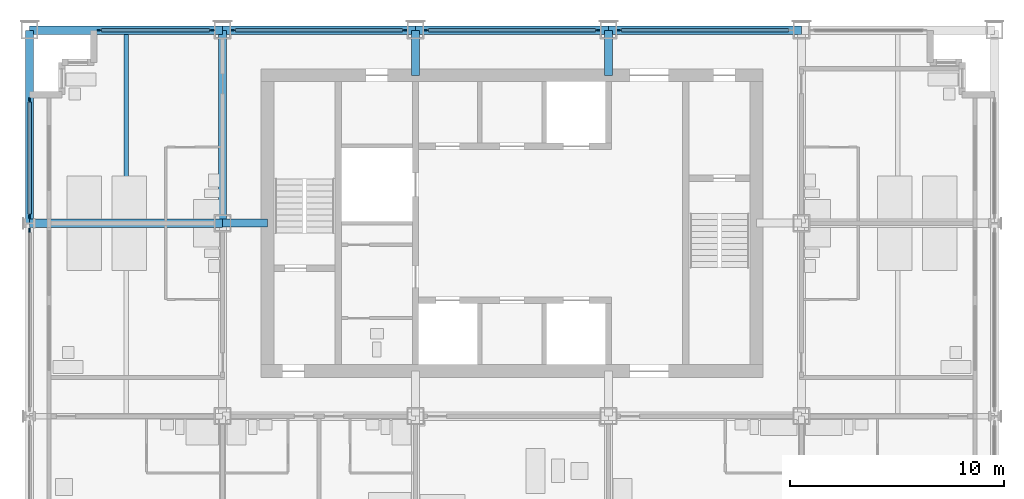
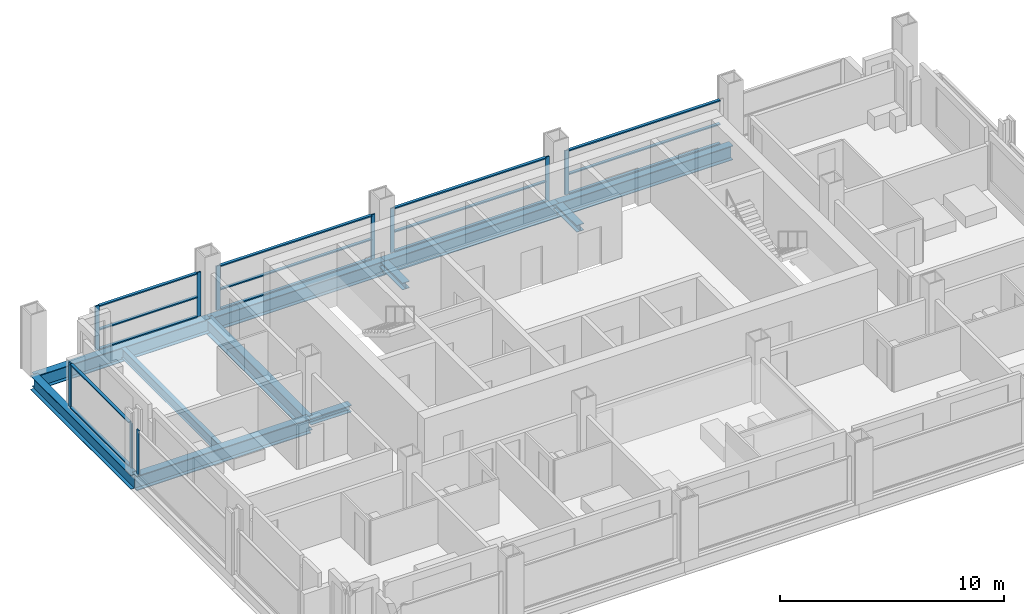
# One storey, part 4 of 13: 27 members, 8 beams, 6 elements without a shape of their own.
"""IFC4 building model written with IfcOpenShell, lengths in metres."""

import ifcopenshell
import ifcopenshell.guid

model = None  # the IFC model being written
_history = None  # IfcOwnerHistory: only IFC2X3 demands one
_inside = {}  # id of a spatial element -> (the spatial element, [elements in it])
_under = {}  # id of a project, library or spatial element -> (it, [spatial elements below it])
_declared = {}  # id of a project -> (the project, [libraries it declares])
_typed = {}  # id of a type object -> (the type object, [elements of that type])
_made_of = {}  # id of a material, layer set ... -> (it, [elements and type objects made of it])


def new_model(schema):
    """Start an empty IFC model of exactly this schema.

    Asked for "IFC4X3", IfcOpenShell would pick the latest addendum, in which some entities
    have other attributes; the version numbers below select the first issue.
    IFC2X3 requires an IfcOwnerHistory on every rooted entity: one is made here for all.
    """
    global model, _history
    if schema == "IFC4X3":
        model = ifcopenshell.file(schema_version=(4, 3, 0, 0))
    else:
        model = ifcopenshell.file(schema=schema)
    _inside.clear()
    _under.clear()
    _declared.clear()
    _typed.clear()
    _made_of.clear()
    _history = None
    if model.schema == "IFC2X3":
        org = make("IfcOrganization", Name="unknown")
        user = make(
            "IfcPersonAndOrganization",
            ThePerson=make("IfcPerson", FamilyName="unknown"),
            TheOrganization=org,
        )
        app = make(
            "IfcApplication",
            ApplicationDeveloper=org,
            Version="unknown",
            ApplicationFullName="unknown",
            ApplicationIdentifier="unknown",
        )
        _history = make(
            "IfcOwnerHistory",
            OwningUser=user,
            OwningApplication=app,
            ChangeAction="ADDED",
            CreationDate=0,
        )
    return model


def make(cls, **values):
    """One entity of the class cls with the attributes given. An attribute that is None is left unset."""
    return model.create_entity(
        cls, **{name: value for name, value in values.items() if value is not None}
    )


def rooted(cls, **values):
    """An entity with a GlobalId (a new one), such as an element, a storey or a relation."""
    return make(cls, GlobalId=ifcopenshell.guid.new(), OwnerHistory=_history, **values)


def si_unit(unit_type, name, prefix=None):
    """IfcSIUnit, for example si_unit("LENGTHUNIT", "METRE", prefix="MILLI")."""
    return make("IfcSIUnit", UnitType=unit_type, Prefix=prefix, Name=name)


def assignment(units):
    """IfcUnitAssignment: the units of a project."""
    return None if units is None else make("IfcUnitAssignment", Units=units)


def point(xyz):
    """IfcCartesianPoint."""
    return None if xyz is None else make("IfcCartesianPoint", Coordinates=xyz)


def direction(xyz):
    """IfcDirection."""
    return None if xyz is None else make("IfcDirection", DirectionRatios=xyz)


def frame(location, z_axis=None, x_axis=None):
    """IfcAxis2Placement3D, a coordinate frame: its origin and axes. An axis left out is left unset."""
    return make(
        "IfcAxis2Placement3D",
        Location=point(location),
        Axis=direction(z_axis),
        RefDirection=direction(x_axis),
    )


def frame_2d(location, x_axis=None):
    """IfcAxis2Placement2D, a coordinate frame in the plane: its origin and x axis."""
    return make(
        "IfcAxis2Placement2D", Location=point(location), RefDirection=direction(x_axis)
    )


def origin():
    """The frame at (0, 0, 0) with its axes left unset."""
    return frame((0.0, 0.0, 0.0))


def origin_2d():
    """The frame at (0, 0) in the plane with its x axis left unset."""
    return frame_2d((0.0, 0.0))


def place(relative_to, where):
    """IfcLocalPlacement: puts the frame where relative to a parent placement (None: the world)."""
    return make(
        "IfcLocalPlacement", PlacementRelTo=relative_to, RelativePlacement=where
    )


def context(
    kind, dimensions, precision=None, world=None, true_north=None, identifier=None
):
    """IfcGeometricRepresentationContext, for example the 3D "Model" context."""
    return make(
        "IfcGeometricRepresentationContext",
        ContextIdentifier=identifier,
        ContextType=kind,
        CoordinateSpaceDimension=dimensions,
        Precision=precision,
        WorldCoordinateSystem=world,
        TrueNorth=true_north,
    )


def subcontext(parent, identifier, kind, view, scale=None):
    """IfcGeometricRepresentationSubContext, for example "Body" below "Model"."""
    return make(
        "IfcGeometricRepresentationSubContext",
        ContextIdentifier=identifier,
        ContextType=kind,
        ParentContext=parent,
        TargetScale=scale,
        TargetView=view,
    )


def project(units=None, contexts=None):
    """IfcProject with its units and contexts."""
    return rooted(
        "IfcProject",
        Name="project",
        RepresentationContexts=contexts,
        UnitsInContext=assignment(units),
    )


def spatial(cls, under=None, at=None, **own):
    """A site, building, storey or space (cls), placed at a placement, below another one or the project."""
    s = rooted(cls, ObjectPlacement=at, **own)
    if under is not None:
        _under.setdefault(under.id(), (under, []))[1].append(s)
    return s


def profile(cls, at=None, kind="AREA", **sizes):
    """A parametric profile (cls). Its sizes go by their IFC names, for example OverallWidth=200.0."""
    return make(cls, ProfileType=kind, Position=at, **sizes)


def rectangle(**sizes):
    """IfcRectangleProfileDef."""
    return profile("IfcRectangleProfileDef", **sizes)


def i_section(**sizes):
    """IfcIShapeProfileDef."""
    return profile("IfcIShapeProfileDef", **sizes)


def extrude(swept, where, along, depth):
    """IfcExtrudedAreaSolid: the profile swept, set in the frame where, extruded along a direction by depth."""
    return make(
        "IfcExtrudedAreaSolid",
        SweptArea=swept,
        Position=where,
        ExtrudedDirection=direction(along),
        Depth=depth,
    )


def shape(context_of_items, identifier, shape_type, items):
    """IfcShapeRepresentation: the items that make up one representation, for example the "Body"."""
    return make(
        "IfcShapeRepresentation",
        ContextOfItems=context_of_items,
        RepresentationIdentifier=identifier,
        RepresentationType=shape_type,
        Items=items,
    )


def material(Name=None, Category=None):
    """IfcMaterial."""
    return make("IfcMaterial", Name=Name, Category=Category)


def material_profile(
    of_material, cross_section, Name=None, Category=None, Priority=None
):
    """IfcMaterialProfile: a cross section and its material."""
    return make(
        "IfcMaterialProfile",
        Name=Name,
        Material=of_material,
        Profile=cross_section,
        Priority=Priority,
        Category=Category,
    )


def profile_set(profiles, Name=None, composite=None):
    """IfcMaterialProfileSet."""
    return make(
        "IfcMaterialProfileSet",
        Name=Name,
        MaterialProfiles=profiles,
        CompositeProfile=composite,
    )


def made_of(thing, what):
    """Note that an element or type object is made of a material, layer set ...; save() writes the relation."""
    if what is not None:
        _made_of.setdefault(what.id(), (what, []))[1].append(thing)
    return thing


def type_object(cls, material=None, **own):
    """A type object (cls), such as IfcWallType, which elements share."""
    return made_of(rooted(cls, **own), material)


def element(
    cls,
    number,
    at=None,
    inside=None,
    cuts=None,
    type_object=None,
    material=None,
    context=None,
    identifier="Body",
    shape_type=None,
    held_by="IfcProductDefinitionShape",
    body=None,
    shapes=None,
    **own,
):
    """One element of the class cls, such as IfcWall. Its Tag is "e" and its number.

    at: its placement. inside: the storey or other place that contains it. cuts: it is an
    opening in that element (IfcRelVoidsElement). A single representation is given by context,
    identifier, shape_type and body (its items); several are given by shapes. held_by: the class
    of the entity that holds the representations. save() writes the other relations.
    """
    e = rooted(cls, Tag="e%d" % number, ObjectPlacement=at, **own)
    if body is not None:
        shapes = [shape(context, identifier, shape_type, body)]
    if shapes is not None:
        e.Representation = make(held_by, Representations=shapes)
    if inside is not None:
        _inside.setdefault(inside.id(), (inside, []))[1].append(e)
    if cuts is not None:
        rooted(
            "IfcRelVoidsElement", RelatingBuildingElement=cuts, RelatedOpeningElement=e
        )
    if type_object is not None:
        _typed.setdefault(type_object.id(), (type_object, []))[1].append(e)
    return made_of(e, material)


def aggregate(whole, parts):
    """IfcRelAggregates: a whole, such as a stair, and the parts it consists of."""
    return rooted("IfcRelAggregates", RelatingObject=whole, RelatedObjects=parts)


def save(model, path):
    """Write the relations noted so far, then the file.

    IfcRelAggregates (storeys below a building ...), IfcRelContainedInSpatialStructure (elements
    in a storey), IfcRelDefinesByType, IfcRelAssociatesMaterial and IfcRelDeclares: one each for
    every whole, place, type object, material and project.
    """
    for whole, parts in _under.values():
        aggregate(whole, parts)
    for where, things in _inside.values():
        rooted(
            "IfcRelContainedInSpatialStructure",
            RelatedElements=things,
            RelatingStructure=where,
        )
    for kind, things in _typed.values():
        rooted("IfcRelDefinesByType", RelatedObjects=things, RelatingType=kind)
    for what, things in _made_of.values():
        rooted("IfcRelAssociatesMaterial", RelatedObjects=things, RelatingMaterial=what)
    for by, libraries in _declared.values():
        rooted("IfcRelDeclares", RelatingContext=by, RelatedDefinitions=libraries)
    model.write(path)


model = new_model("IFC4")

# Units and contexts
model_context = context("Model", 3, precision=1e-05, world=origin(), true_north=direction((0.0, 1.0)))
body_context = subcontext(model_context, "Body", "Model", "MODEL_VIEW")
ifc_project = project(units=[si_unit("LENGTHUNIT", "METRE"), si_unit("AREAUNIT", "SQUARE_METRE"), si_unit("VOLUMEUNIT", "CUBIC_METRE"), si_unit("PLANEANGLEUNIT", "RADIAN"), si_unit("MASSUNIT", "GRAM", prefix="KILO")], contexts=[model_context])

# Site, building, storey
site_placement = place(None, origin())
site = spatial("IfcSite", under=ifc_project, at=site_placement, CompositionType="ELEMENT")
building_placement = place(site_placement, origin())
building = spatial("IfcBuilding", under=site, at=building_placement, Name="Loomwork Tower", CompositionType="ELEMENT")
storey_placement = place(building_placement, frame((0.0, 0.0, 184.199951171875)))
storey = spatial("IfcBuildingStorey", under=building, at=storey_placement, Name="L50", CompositionType="ELEMENT", Elevation=184.199951171875)

# Beams
ifc_material_1 = material(Name="Steel ASTM A992", Category="steel")
ifc_material_profile_1 = material_profile(ifc_material_1, i_section(OverallWidth=0.383544921875, OverallDepth=0.794921875, WebThickness=0.02099609375, FlangeThickness=0.0380859375, at=origin_2d()), Name="W30x235")
ifc_profile_set_1 = profile_set([ifc_material_profile_1], Name="Steel ASTM A992")
beam_type_1 = type_object("IfcBeamType", Name="CORE FLANK GIRDER W30x235", PredefinedType="BEAM", material=ifc_profile_set_1)
for number, where, z_axis, x_axis, name in (
    (1, (0.0, 18.0, -0.597412109375), (1.0, 0.0, 0.0), (0.0, 1.0, 0.0), "Core Flank Girder F/2-F/3 L50"),
    (2, (9.0, 18.0, -0.597412109375), (0.0, 1.0, 0.0), (-1.0, 0.0, 0.0), "Core Flank Girder F/3-G/3 L50"),
):
    element("IfcBeam", number, at=place(storey_placement, frame(where, z_axis=z_axis, x_axis=x_axis)), inside=storey, type_object=beam_type_1, Name=name, PredefinedType="BEAM", context=body_context, shape_type="SweptSolid", body=[
        extrude(i_section(OverallWidth=0.383544921875, OverallDepth=0.794921875, WebThickness=0.02099609375, FlangeThickness=0.0380859375, at=origin_2d()), origin(), (0.0, 0.0, 1.0), 9.0),
    ])

# Members
ifc_material_2 = material(Name="Steel ASTM A992", Category="steel")
ifc_material_profile_2 = material_profile(ifc_material_2, i_section(OverallWidth=0.373291015625, OverallDepth=0.373291015625, WebThickness=0.016357421875, FlangeThickness=0.026123046875, at=origin_2d()), Name="W14x132")
ifc_profile_set_2 = profile_set([ifc_material_profile_2], Name="Steel ASTM A992")
member_type_1 = type_object("IfcMemberType", Name="CORE LINK STRUT W14x132", PredefinedType="STRUT", material=ifc_profile_set_2)
for number, where, z_axis, x_axis, name in (
    (3, (27.0, 27.0, -0.38671875), (0.0, -1.0, 0.0), (1.0, 0.0, 0.0), "Core link strut G/5-27.000,24.900 L50"),
    (4, (18.0, 27.0, -0.38671875), (0.0, -1.0, 0.0), (1.0, 0.0, 0.0), "Core link strut G/4-18.000,24.900 L50"),
    (5, (9.0, 18.0, -0.38671875), (1.0, 0.0, 0.0), (0.0, 1.0, 0.0), "Core link strut F/3-11.100,18.000 L50"),
):
    element("IfcMember", number, at=place(storey_placement, frame(where, z_axis=z_axis, x_axis=x_axis)), inside=storey, type_object=member_type_1, Name=name, PredefinedType="STRUT", context=body_context, shape_type="SweptSolid", body=[
        extrude(i_section(OverallWidth=0.373291015625, OverallDepth=0.373291015625, WebThickness=0.016357421875, FlangeThickness=0.026123046875, at=origin_2d()), origin(), (0.0, 0.0, 1.0), 2.10009765625),
    ])

# Beam
ifc_material_3 = material(Name="Steel ASTM A992", Category="steel")
ifc_material_profile_3 = material_profile(ifc_material_3, i_section(OverallWidth=0.2109375, OverallDepth=0.53857421875, WebThickness=0.011474609375, FlangeThickness=0.018798828125, at=origin_2d()), Name="W21x73")
ifc_profile_set_3 = profile_set([ifc_material_profile_3], Name="Steel ASTM A992")
beam_type_2 = type_object("IfcBeamType", Name="FLOOR JOIST W21x73", PredefinedType="JOIST", material=ifc_profile_set_3)
beam_placement = place(storey_placement, frame((4.5, 18.19091796875, -0.46923828125), z_axis=(0.0, 1.0, 0.0), x_axis=(-1.0, 0.0, 0.0)))
element("IfcBeam", 6, at=beam_placement, inside=storey, type_object=beam_type_2, Name="Floor Joist 4.500,18.000-4.500,27.000 L50", PredefinedType="JOIST", context=body_context, shape_type="SweptSolid", body=[
    extrude(i_section(OverallWidth=0.2109375, OverallDepth=0.53857421875, WebThickness=0.011474609375, FlangeThickness=0.018798828125, at=origin_2d()), origin(), (0.0, 0.0, 1.0), 8.619140625),
])

# Curtain wall, member
ifc_material_4 = material(Name="Aluminium curtain wall frame", Category="aluminium")
curtain_wall_type_1 = type_object("IfcCurtainWallType", Name="Outer skin glazing hotel", PredefinedType="NOTDEFINED", material=ifc_material_4)
curtain_wall_1_placement = place(storey_placement, origin())
curtain_wall_1 = element("IfcCurtainWall", 7, at=curtain_wall_1_placement, inside=storey, type_object=curtain_wall_type_1, Name="Outer skin glazing hotel cw/W-9", PredefinedType="NOTDEFINED")
ifc_material_5 = material(Name="Aluminium curtain wall frame", Category="aluminium")
ifc_material_profile_4 = material_profile(ifc_material_5, rectangle(XDim=0.06494140625, YDim=0.199951171875, at=origin_2d()), Name="AL 65x200")
ifc_profile_set_4 = profile_set([ifc_material_profile_4], Name="Aluminium curtain wall frame")
member_type_2 = type_object("IfcMemberType", Name="Outer skin glazing hotel mullion", PredefinedType="MULLION", material=ifc_profile_set_4)
member_1_placement = place(storey_placement, frame((0.0, 17.67529296875, 0.0), z_axis=(0.0, 0.0, 1.0), x_axis=(1.0, 0.0, 0.0)))
member_1 = element("IfcMember", 8, at=member_1_placement, type_object=member_type_2, Name="CW1 mullion 1", PredefinedType="MULLION", context=body_context, shape_type="SweptSolid", body=[
    extrude(rectangle(XDim=0.06494140625, YDim=0.199951171875, at=origin_2d()), origin(), (0.0, 0.0, 1.0), 2.420166015625),
])
aggregate(curtain_wall_1, [member_1])

# Curtain wall, members
curtain_wall_2_placement = place(storey_placement, origin())
curtain_wall_2 = element("IfcCurtainWall", 9, at=curtain_wall_2_placement, inside=storey, type_object=curtain_wall_type_1, Name="Outer skin glazing hotel cw/W-18", PredefinedType="NOTDEFINED")
member_2_placement = place(storey_placement, frame((0.0, 23.75, 0.0), z_axis=(0.0, 0.0, 1.0), x_axis=(1.0, 0.0, 0.0)))
member_2 = element("IfcMember", 10, at=member_2_placement, type_object=member_type_2, Name="CW1 mullion 1", PredefinedType="MULLION", context=body_context, shape_type="SweptSolid", body=[
    extrude(rectangle(XDim=0.06494140625, YDim=0.199951171875, at=origin_2d()), origin(), (0.0, 0.0, 1.0), 2.420166015625),
])
member_3_placement = place(storey_placement, frame((0.0, 18.32470703125, 0.0), z_axis=(0.0, 0.0, 1.0), x_axis=(1.0, 0.0, 0.0)))
member_3 = element("IfcMember", 11, at=member_3_placement, type_object=member_type_2, Name="CW1 mullion 2", PredefinedType="MULLION", context=body_context, shape_type="SweptSolid", body=[
    extrude(rectangle(XDim=0.06494140625, YDim=0.199951171875, at=origin_2d()), origin(), (0.0, 0.0, 1.0), 2.420166015625),
])
ifc_material_6 = material(Name="Aluminium curtain wall frame", Category="aluminium")
ifc_material_profile_5 = material_profile(ifc_material_6, rectangle(XDim=0.14990234375, YDim=0.06494140625, at=origin_2d()), Name="AL 65x150")
ifc_profile_set_5 = profile_set([ifc_material_profile_5], Name="Aluminium curtain wall frame")
member_type_3 = type_object("IfcMemberType", Name="Outer skin glazing hotel transom", PredefinedType="USERDEFINED", material=ifc_profile_set_5)
member_4_placement = place(storey_placement, frame((0.0, 23.64990234375, 0.032470703125), z_axis=(0.0, -1.0, 0.0), x_axis=(1.0, 0.0, 0.0)))
member_4 = element("IfcMember", 12, at=member_4_placement, type_object=member_type_3, Name="CW1 transom 1.1", ObjectType="TRANSOM", PredefinedType="USERDEFINED", context=body_context, shape_type="SweptSolid", body=[
    extrude(rectangle(XDim=0.14990234375, YDim=0.06494140625, at=origin_2d()), origin(), (0.0, 0.0, 1.0), 5.22509765625),
])
member_5_placement = place(storey_placement, frame((0.0, 23.64990234375, 2.3876953125), z_axis=(0.0, -1.0, 0.0), x_axis=(1.0, 0.0, 0.0)))
member_5 = element("IfcMember", 13, at=member_5_placement, type_object=member_type_3, Name="CW1 transom 1.2", ObjectType="TRANSOM", PredefinedType="USERDEFINED", context=body_context, shape_type="SweptSolid", body=[
    extrude(rectangle(XDim=0.14990234375, YDim=0.06494140625, at=origin_2d()), origin(), (0.0, 0.0, 1.0), 5.22509765625),
])
aggregate(curtain_wall_2, [member_2, member_3, member_4, member_5])

# Beams
ifc_material_7 = material(Name="Steel ASTM A992", Category="steel")
ifc_material_profile_6 = material_profile(ifc_material_7, i_section(OverallWidth=0.381103515625, OverallDepth=0.77978515625, WebThickness=0.01806640625, FlangeThickness=0.0302734375, at=origin_2d()), Name="W30x191")
ifc_profile_set_6 = profile_set([ifc_material_profile_6], Name="Steel ASTM A992")
beam_type_3 = type_object("IfcBeamType", Name="SPANDREL GIRDER W30x191", PredefinedType="SPANDREL", material=ifc_profile_set_6)
for number, where, z_axis, x_axis, name in (
    (14, (0.0, 27.0, -0.58984375), (1.0, 0.0, 0.0), (0.0, 1.0, 0.0), "Spandrel Girder G/2-G/3 L50"),
    (15, (9.0, 27.0, -0.58984375), (1.0, 0.0, 0.0), (0.0, 1.0, 0.0), "Spandrel Girder G/3-G/4 L50"),
    (16, (18.0, 27.0, -0.58984375), (1.0, 0.0, 0.0), (0.0, 1.0, 0.0), "Spandrel Girder G/4-G/5 L50"),
    (17, (27.0, 27.0, -0.58984375), (1.0, 0.0, 0.0), (0.0, 1.0, 0.0), "Spandrel Girder G/5-G/6 L50"),
    (18, (0.0, 18.0, -0.58984375), (0.0, 1.0, 0.0), (-1.0, 0.0, 0.0), "Spandrel Girder F/2-G/2 L50"),
):
    element("IfcBeam", number, at=place(storey_placement, frame(where, z_axis=z_axis, x_axis=x_axis)), inside=storey, type_object=beam_type_3, Name=name, PredefinedType="SPANDREL", context=body_context, shape_type="SweptSolid", body=[
        extrude(i_section(OverallWidth=0.381103515625, OverallDepth=0.77978515625, WebThickness=0.01806640625, FlangeThickness=0.0302734375, at=origin_2d()), origin(), (0.0, 0.0, 1.0), 9.0),
    ])

# Curtain wall, members
ifc_material_8 = material(Name="Aluminium curtain wall frame", Category="aluminium")
curtain_wall_type_2 = type_object("IfcCurtainWallType", Name="Single skin glazing corridor", PredefinedType="NOTDEFINED", material=ifc_material_8)
curtain_wall_3_placement = place(storey_placement, origin())
curtain_wall_3 = element("IfcCurtainWall", 19, at=curtain_wall_3_placement, inside=storey, type_object=curtain_wall_type_2, Name="Single skin glazing corridor cw/N-0", PredefinedType="NOTDEFINED")
ifc_material_9 = material(Name="Aluminium curtain wall frame", Category="aluminium")
ifc_material_profile_7 = material_profile(ifc_material_9, rectangle(XDim=0.06494140625, YDim=0.199951171875, at=origin_2d()), Name="AL 65x200")
ifc_profile_set_7 = profile_set([ifc_material_profile_7], Name="Aluminium curtain wall frame")
member_type_4 = type_object("IfcMemberType", Name="Single skin glazing corridor mullion", PredefinedType="MULLION", material=ifc_profile_set_7)
member_6_placement = place(storey_placement, frame((8.5, 27.0, 0.0), z_axis=(0.0, 0.0, 1.0), x_axis=(0.0, -1.0, 0.0)))
member_6 = element("IfcMember", 20, at=member_6_placement, type_object=member_type_4, Name="CW3 mullion 1", PredefinedType="MULLION", context=body_context, shape_type="SweptSolid", body=[
    extrude(rectangle(XDim=0.06494140625, YDim=0.199951171875, at=origin_2d()), origin(), (0.0, 0.0, 1.0), 2.420166015625),
])
member_7_placement = place(storey_placement, frame((3.25, 27.0, 0.0), z_axis=(0.0, 0.0, 1.0), x_axis=(0.0, -1.0, 0.0)))
member_7 = element("IfcMember", 21, at=member_7_placement, type_object=member_type_4, Name="CW3 mullion 2", PredefinedType="MULLION", context=body_context, shape_type="SweptSolid", body=[
    extrude(rectangle(XDim=0.06494140625, YDim=0.199951171875, at=origin_2d()), origin(), (0.0, 0.0, 1.0), 2.420166015625),
])

curtain_wall_4_placement = place(storey_placement, origin())
curtain_wall_4 = element("IfcCurtainWall", 22, at=curtain_wall_4_placement, inside=storey, type_object=curtain_wall_type_2, Name="Single skin glazing corridor cw/N-9", PredefinedType="NOTDEFINED")
member_8_placement = place(storey_placement, frame((17.5, 27.0, 0.0), z_axis=(0.0, 0.0, 1.0), x_axis=(0.0, -1.0, 0.0)))
member_8 = element("IfcMember", 23, at=member_8_placement, type_object=member_type_4, Name="CW3 mullion 1", PredefinedType="MULLION", context=body_context, shape_type="SweptSolid", body=[
    extrude(rectangle(XDim=0.06494140625, YDim=0.199951171875, at=origin_2d()), origin(), (0.0, 0.0, 1.0), 2.420166015625),
])
member_9_placement = place(storey_placement, frame((9.5, 27.0, 0.0), z_axis=(0.0, 0.0, 1.0), x_axis=(0.0, -1.0, 0.0)))
member_9 = element("IfcMember", 24, at=member_9_placement, type_object=member_type_4, Name="CW3 mullion 2", PredefinedType="MULLION", context=body_context, shape_type="SweptSolid", body=[
    extrude(rectangle(XDim=0.06494140625, YDim=0.199951171875, at=origin_2d()), origin(), (0.0, 0.0, 1.0), 2.420166015625),
])

curtain_wall_5_placement = place(storey_placement, origin())
curtain_wall_5 = element("IfcCurtainWall", 25, at=curtain_wall_5_placement, inside=storey, type_object=curtain_wall_type_2, Name="Single skin glazing corridor cw/N-18", PredefinedType="NOTDEFINED")
member_10_placement = place(storey_placement, frame((26.5, 27.0, 0.0), z_axis=(0.0, 0.0, 1.0), x_axis=(0.0, -1.0, 0.0)))
member_10 = element("IfcMember", 26, at=member_10_placement, type_object=member_type_4, Name="CW3 mullion 1", PredefinedType="MULLION", context=body_context, shape_type="SweptSolid", body=[
    extrude(rectangle(XDim=0.06494140625, YDim=0.199951171875, at=origin_2d()), origin(), (0.0, 0.0, 1.0), 2.420166015625),
])
member_11_placement = place(storey_placement, frame((18.5, 27.0, 0.0), z_axis=(0.0, 0.0, 1.0), x_axis=(0.0, -1.0, 0.0)))
member_11 = element("IfcMember", 27, at=member_11_placement, type_object=member_type_4, Name="CW3 mullion 2", PredefinedType="MULLION", context=body_context, shape_type="SweptSolid", body=[
    extrude(rectangle(XDim=0.06494140625, YDim=0.199951171875, at=origin_2d()), origin(), (0.0, 0.0, 1.0), 2.420166015625),
])

# Curtain wall, member
curtain_wall_6_placement = place(storey_placement, origin())
curtain_wall_6 = element("IfcCurtainWall", 28, at=curtain_wall_6_placement, inside=storey, type_object=curtain_wall_type_2, Name="Single skin glazing corridor cw/N-27", PredefinedType="NOTDEFINED")
member_12_placement = place(storey_placement, frame((27.5, 27.0, 0.0), z_axis=(0.0, 0.0, 1.0), x_axis=(0.0, -1.0, 0.0)))
member_12 = element("IfcMember", 29, at=member_12_placement, type_object=member_type_4, Name="CW3 mullion 2", PredefinedType="MULLION", context=body_context, shape_type="SweptSolid", body=[
    extrude(rectangle(XDim=0.06494140625, YDim=0.199951171875, at=origin_2d()), origin(), (0.0, 0.0, 1.0), 2.420166015625),
])

# Member
ifc_material_10 = material(Name="Aluminium curtain wall frame", Category="aluminium")
ifc_material_profile_8 = material_profile(ifc_material_10, rectangle(XDim=0.14990234375, YDim=0.06494140625, at=origin_2d()), Name="AL 65x150")
ifc_profile_set_8 = profile_set([ifc_material_profile_8], Name="Aluminium curtain wall frame")
member_type_5 = type_object("IfcMemberType", Name="Single skin glazing corridor transom", PredefinedType="USERDEFINED", material=ifc_profile_set_8)
member_13_placement = place(storey_placement, frame((8.39990234375, 27.0, 0.032470703125), z_axis=(-1.0, 0.0, 0.0), x_axis=(0.0, -1.0, 0.0)))
member_13 = element("IfcMember", 30, at=member_13_placement, type_object=member_type_5, Name="CW3 transom 1.1", ObjectType="TRANSOM", PredefinedType="USERDEFINED", context=body_context, shape_type="SweptSolid", body=[
    extrude(rectangle(XDim=0.14990234375, YDim=0.06494140625, at=origin_2d()), origin(), (0.0, 0.0, 1.0), 5.0498046875),
])

member_14_placement = place(storey_placement, frame((8.39990234375, 27.0, 1.10009765625), z_axis=(-1.0, 0.0, 0.0), x_axis=(0.0, -1.0, 0.0)))
member_14 = element("IfcMember", 31, at=member_14_placement, type_object=member_type_5, Name="CW3 transom 1.2", ObjectType="TRANSOM", PredefinedType="USERDEFINED", context=body_context, shape_type="SweptSolid", body=[
    extrude(rectangle(XDim=0.14990234375, YDim=0.06494140625, at=origin_2d()), origin(), (0.0, 0.0, 1.0), 5.0498046875),
])

member_15_placement = place(storey_placement, frame((8.39990234375, 27.0, 2.3876953125), z_axis=(-1.0, 0.0, 0.0), x_axis=(0.0, -1.0, 0.0)))
member_15 = element("IfcMember", 32, at=member_15_placement, type_object=member_type_5, Name="CW3 transom 1.3", ObjectType="TRANSOM", PredefinedType="USERDEFINED", context=body_context, shape_type="SweptSolid", body=[
    extrude(rectangle(XDim=0.14990234375, YDim=0.06494140625, at=origin_2d()), origin(), (0.0, 0.0, 1.0), 5.0498046875),
])

aggregate(curtain_wall_3, [member_6, member_7, member_13, member_14, member_15])

member_16_placement = place(storey_placement, frame((17.39990234375, 27.0, 0.032470703125), z_axis=(-1.0, 0.0, 0.0), x_axis=(0.0, -1.0, 0.0)))
member_16 = element("IfcMember", 33, at=member_16_placement, type_object=member_type_5, Name="CW3 transom 1.1", ObjectType="TRANSOM", PredefinedType="USERDEFINED", context=body_context, shape_type="SweptSolid", body=[
    extrude(rectangle(XDim=0.14990234375, YDim=0.06494140625, at=origin_2d()), origin(), (0.0, 0.0, 1.0), 7.7998046875),
])

member_17_placement = place(storey_placement, frame((17.39990234375, 27.0, 1.10009765625), z_axis=(-1.0, 0.0, 0.0), x_axis=(0.0, -1.0, 0.0)))
member_17 = element("IfcMember", 34, at=member_17_placement, type_object=member_type_5, Name="CW3 transom 1.2", ObjectType="TRANSOM", PredefinedType="USERDEFINED", context=body_context, shape_type="SweptSolid", body=[
    extrude(rectangle(XDim=0.14990234375, YDim=0.06494140625, at=origin_2d()), origin(), (0.0, 0.0, 1.0), 7.7998046875),
])

member_18_placement = place(storey_placement, frame((17.39990234375, 27.0, 2.3876953125), z_axis=(-1.0, 0.0, 0.0), x_axis=(0.0, -1.0, 0.0)))
member_18 = element("IfcMember", 35, at=member_18_placement, type_object=member_type_5, Name="CW3 transom 1.3", ObjectType="TRANSOM", PredefinedType="USERDEFINED", context=body_context, shape_type="SweptSolid", body=[
    extrude(rectangle(XDim=0.14990234375, YDim=0.06494140625, at=origin_2d()), origin(), (0.0, 0.0, 1.0), 7.7998046875),
])

aggregate(curtain_wall_4, [member_8, member_9, member_16, member_17, member_18])

member_19_placement = place(storey_placement, frame((26.39990234375, 27.0, 0.032470703125), z_axis=(-1.0, 0.0, 0.0), x_axis=(0.0, -1.0, 0.0)))
member_19 = element("IfcMember", 36, at=member_19_placement, type_object=member_type_5, Name="CW3 transom 1.1", ObjectType="TRANSOM", PredefinedType="USERDEFINED", context=body_context, shape_type="SweptSolid", body=[
    extrude(rectangle(XDim=0.14990234375, YDim=0.06494140625, at=origin_2d()), origin(), (0.0, 0.0, 1.0), 7.7998046875),
])

member_20_placement = place(storey_placement, frame((26.39990234375, 27.0, 1.10009765625), z_axis=(-1.0, 0.0, 0.0), x_axis=(0.0, -1.0, 0.0)))
member_20 = element("IfcMember", 37, at=member_20_placement, type_object=member_type_5, Name="CW3 transom 1.2", ObjectType="TRANSOM", PredefinedType="USERDEFINED", context=body_context, shape_type="SweptSolid", body=[
    extrude(rectangle(XDim=0.14990234375, YDim=0.06494140625, at=origin_2d()), origin(), (0.0, 0.0, 1.0), 7.7998046875),
])

member_21_placement = place(storey_placement, frame((26.39990234375, 27.0, 2.3876953125), z_axis=(-1.0, 0.0, 0.0), x_axis=(0.0, -1.0, 0.0)))
member_21 = element("IfcMember", 38, at=member_21_placement, type_object=member_type_5, Name="CW3 transom 1.3", ObjectType="TRANSOM", PredefinedType="USERDEFINED", context=body_context, shape_type="SweptSolid", body=[
    extrude(rectangle(XDim=0.14990234375, YDim=0.06494140625, at=origin_2d()), origin(), (0.0, 0.0, 1.0), 7.7998046875),
])

aggregate(curtain_wall_5, [member_10, member_11, member_19, member_20, member_21])

member_22_placement = place(storey_placement, frame((35.39990234375, 27.0, 0.032470703125), z_axis=(-1.0, 0.0, 0.0), x_axis=(0.0, -1.0, 0.0)))
member_22 = element("IfcMember", 39, at=member_22_placement, type_object=member_type_5, Name="CW3 transom 1.1", ObjectType="TRANSOM", PredefinedType="USERDEFINED", context=body_context, shape_type="SweptSolid", body=[
    extrude(rectangle(XDim=0.14990234375, YDim=0.06494140625, at=origin_2d()), origin(), (0.0, 0.0, 1.0), 7.7998046875),
])

member_23_placement = place(storey_placement, frame((35.39990234375, 27.0, 1.10009765625), z_axis=(-1.0, 0.0, 0.0), x_axis=(0.0, -1.0, 0.0)))
member_23 = element("IfcMember", 40, at=member_23_placement, type_object=member_type_5, Name="CW3 transom 1.2", ObjectType="TRANSOM", PredefinedType="USERDEFINED", context=body_context, shape_type="SweptSolid", body=[
    extrude(rectangle(XDim=0.14990234375, YDim=0.06494140625, at=origin_2d()), origin(), (0.0, 0.0, 1.0), 7.7998046875),
])

member_24_placement = place(storey_placement, frame((35.39990234375, 27.0, 2.3876953125), z_axis=(-1.0, 0.0, 0.0), x_axis=(0.0, -1.0, 0.0)))
member_24 = element("IfcMember", 41, at=member_24_placement, type_object=member_type_5, Name="CW3 transom 1.3", ObjectType="TRANSOM", PredefinedType="USERDEFINED", context=body_context, shape_type="SweptSolid", body=[
    extrude(rectangle(XDim=0.14990234375, YDim=0.06494140625, at=origin_2d()), origin(), (0.0, 0.0, 1.0), 7.7998046875),
])

aggregate(curtain_wall_6, [member_12, member_22, member_23, member_24])

save(model, "model.ifc")
